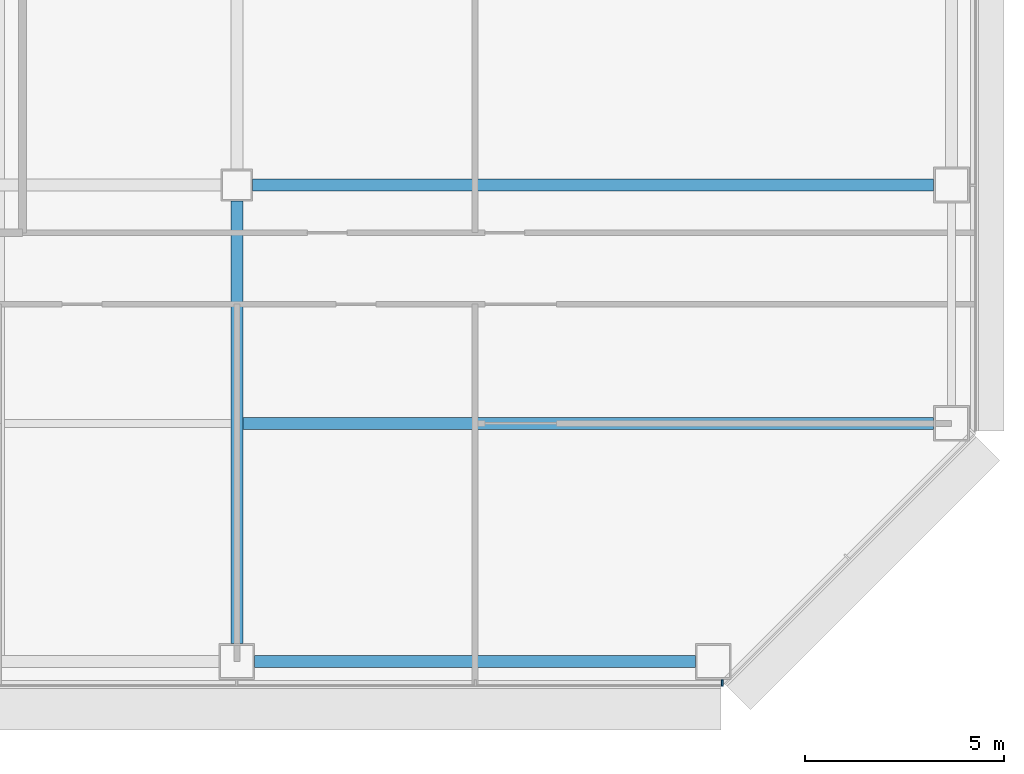
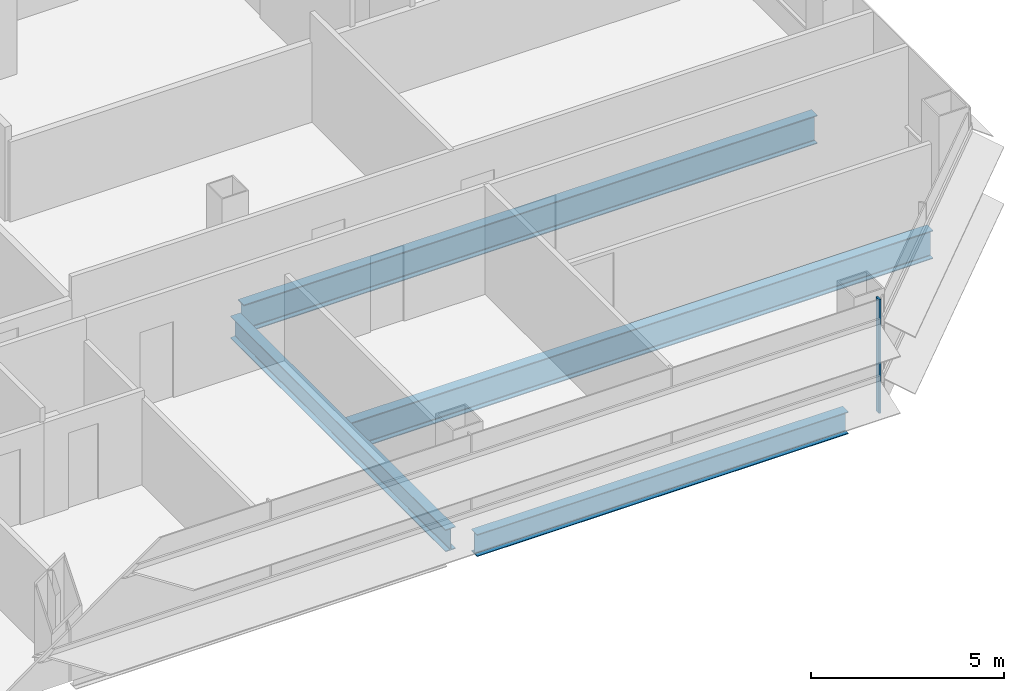
# One storey, part 9 of 26: 4 beams, 1 member, 1 element without a shape of its own.
"""IFC4 building model written with IfcOpenShell, lengths in metres."""

import ifcopenshell
import ifcopenshell.guid

model = None  # the IFC model being written
_history = None  # IfcOwnerHistory: only IFC2X3 demands one
_inside = {}  # id of a spatial element -> (the spatial element, [elements in it])
_under = {}  # id of a project, library or spatial element -> (it, [spatial elements below it])
_declared = {}  # id of a project -> (the project, [libraries it declares])
_typed = {}  # id of a type object -> (the type object, [elements of that type])
_made_of = {}  # id of a material, layer set ... -> (it, [elements and type objects made of it])


def new_model(schema):
    """Start an empty IFC model of exactly this schema.

    Asked for "IFC4X3", IfcOpenShell would pick the latest addendum, in which some entities
    have other attributes; the version numbers below select the first issue.
    IFC2X3 requires an IfcOwnerHistory on every rooted entity: one is made here for all.
    """
    global model, _history
    if schema == "IFC4X3":
        model = ifcopenshell.file(schema_version=(4, 3, 0, 0))
    else:
        model = ifcopenshell.file(schema=schema)
    _inside.clear()
    _under.clear()
    _declared.clear()
    _typed.clear()
    _made_of.clear()
    _history = None
    if model.schema == "IFC2X3":
        org = make("IfcOrganization", Name="unknown")
        user = make(
            "IfcPersonAndOrganization",
            ThePerson=make("IfcPerson", FamilyName="unknown"),
            TheOrganization=org,
        )
        app = make(
            "IfcApplication",
            ApplicationDeveloper=org,
            Version="unknown",
            ApplicationFullName="unknown",
            ApplicationIdentifier="unknown",
        )
        _history = make(
            "IfcOwnerHistory",
            OwningUser=user,
            OwningApplication=app,
            ChangeAction="ADDED",
            CreationDate=0,
        )
    return model


def make(cls, **values):
    """One entity of the class cls with the attributes given. An attribute that is None is left unset."""
    return model.create_entity(
        cls, **{name: value for name, value in values.items() if value is not None}
    )


def rooted(cls, **values):
    """An entity with a GlobalId (a new one), such as an element, a storey or a relation."""
    return make(cls, GlobalId=ifcopenshell.guid.new(), OwnerHistory=_history, **values)


def si_unit(unit_type, name, prefix=None):
    """IfcSIUnit, for example si_unit("LENGTHUNIT", "METRE", prefix="MILLI")."""
    return make("IfcSIUnit", UnitType=unit_type, Prefix=prefix, Name=name)


def assignment(units):
    """IfcUnitAssignment: the units of a project."""
    return None if units is None else make("IfcUnitAssignment", Units=units)


def point(xyz):
    """IfcCartesianPoint."""
    return None if xyz is None else make("IfcCartesianPoint", Coordinates=xyz)


def direction(xyz):
    """IfcDirection."""
    return None if xyz is None else make("IfcDirection", DirectionRatios=xyz)


def frame(location, z_axis=None, x_axis=None):
    """IfcAxis2Placement3D, a coordinate frame: its origin and axes. An axis left out is left unset."""
    return make(
        "IfcAxis2Placement3D",
        Location=point(location),
        Axis=direction(z_axis),
        RefDirection=direction(x_axis),
    )


def frame_2d(location, x_axis=None):
    """IfcAxis2Placement2D, a coordinate frame in the plane: its origin and x axis."""
    return make(
        "IfcAxis2Placement2D", Location=point(location), RefDirection=direction(x_axis)
    )


def origin():
    """The frame at (0, 0, 0) with its axes left unset."""
    return frame((0.0, 0.0, 0.0))


def origin_2d():
    """The frame at (0, 0) in the plane with its x axis left unset."""
    return frame_2d((0.0, 0.0))


def place(relative_to, where):
    """IfcLocalPlacement: puts the frame where relative to a parent placement (None: the world)."""
    return make(
        "IfcLocalPlacement", PlacementRelTo=relative_to, RelativePlacement=where
    )


def context(
    kind, dimensions, precision=None, world=None, true_north=None, identifier=None
):
    """IfcGeometricRepresentationContext, for example the 3D "Model" context."""
    return make(
        "IfcGeometricRepresentationContext",
        ContextIdentifier=identifier,
        ContextType=kind,
        CoordinateSpaceDimension=dimensions,
        Precision=precision,
        WorldCoordinateSystem=world,
        TrueNorth=true_north,
    )


def subcontext(parent, identifier, kind, view, scale=None):
    """IfcGeometricRepresentationSubContext, for example "Body" below "Model"."""
    return make(
        "IfcGeometricRepresentationSubContext",
        ContextIdentifier=identifier,
        ContextType=kind,
        ParentContext=parent,
        TargetScale=scale,
        TargetView=view,
    )


def project(units=None, contexts=None):
    """IfcProject with its units and contexts."""
    return rooted(
        "IfcProject",
        Name="project",
        RepresentationContexts=contexts,
        UnitsInContext=assignment(units),
    )


def spatial(cls, under=None, at=None, **own):
    """A site, building, storey or space (cls), placed at a placement, below another one or the project."""
    s = rooted(cls, ObjectPlacement=at, **own)
    if under is not None:
        _under.setdefault(under.id(), (under, []))[1].append(s)
    return s


def profile(cls, at=None, kind="AREA", **sizes):
    """A parametric profile (cls). Its sizes go by their IFC names, for example OverallWidth=200.0."""
    return make(cls, ProfileType=kind, Position=at, **sizes)


def rectangle(**sizes):
    """IfcRectangleProfileDef."""
    return profile("IfcRectangleProfileDef", **sizes)


def i_section(**sizes):
    """IfcIShapeProfileDef."""
    return profile("IfcIShapeProfileDef", **sizes)


def extrude(swept, where, along, depth):
    """IfcExtrudedAreaSolid: the profile swept, set in the frame where, extruded along a direction by depth."""
    return make(
        "IfcExtrudedAreaSolid",
        SweptArea=swept,
        Position=where,
        ExtrudedDirection=direction(along),
        Depth=depth,
    )


def shape(context_of_items, identifier, shape_type, items):
    """IfcShapeRepresentation: the items that make up one representation, for example the "Body"."""
    return make(
        "IfcShapeRepresentation",
        ContextOfItems=context_of_items,
        RepresentationIdentifier=identifier,
        RepresentationType=shape_type,
        Items=items,
    )


def material(Name=None, Category=None):
    """IfcMaterial."""
    return make("IfcMaterial", Name=Name, Category=Category)


def material_profile(
    of_material, cross_section, Name=None, Category=None, Priority=None
):
    """IfcMaterialProfile: a cross section and its material."""
    return make(
        "IfcMaterialProfile",
        Name=Name,
        Material=of_material,
        Profile=cross_section,
        Priority=Priority,
        Category=Category,
    )


def profile_set(profiles, Name=None, composite=None):
    """IfcMaterialProfileSet."""
    return make(
        "IfcMaterialProfileSet",
        Name=Name,
        MaterialProfiles=profiles,
        CompositeProfile=composite,
    )


def made_of(thing, what):
    """Note that an element or type object is made of a material, layer set ...; save() writes the relation."""
    if what is not None:
        _made_of.setdefault(what.id(), (what, []))[1].append(thing)
    return thing


def type_object(cls, material=None, **own):
    """A type object (cls), such as IfcWallType, which elements share."""
    return made_of(rooted(cls, **own), material)


def element(
    cls,
    number,
    at=None,
    inside=None,
    cuts=None,
    type_object=None,
    material=None,
    context=None,
    identifier="Body",
    shape_type=None,
    held_by="IfcProductDefinitionShape",
    body=None,
    shapes=None,
    **own,
):
    """One element of the class cls, such as IfcWall. Its Tag is "e" and its number.

    at: its placement. inside: the storey or other place that contains it. cuts: it is an
    opening in that element (IfcRelVoidsElement). A single representation is given by context,
    identifier, shape_type and body (its items); several are given by shapes. held_by: the class
    of the entity that holds the representations. save() writes the other relations.
    """
    e = rooted(cls, Tag="e%d" % number, ObjectPlacement=at, **own)
    if body is not None:
        shapes = [shape(context, identifier, shape_type, body)]
    if shapes is not None:
        e.Representation = make(held_by, Representations=shapes)
    if inside is not None:
        _inside.setdefault(inside.id(), (inside, []))[1].append(e)
    if cuts is not None:
        rooted(
            "IfcRelVoidsElement", RelatingBuildingElement=cuts, RelatedOpeningElement=e
        )
    if type_object is not None:
        _typed.setdefault(type_object.id(), (type_object, []))[1].append(e)
    return made_of(e, material)


def aggregate(whole, parts):
    """IfcRelAggregates: a whole, such as a stair, and the parts it consists of."""
    return rooted("IfcRelAggregates", RelatingObject=whole, RelatedObjects=parts)


def save(model, path):
    """Write the relations noted so far, then the file.

    IfcRelAggregates (storeys below a building ...), IfcRelContainedInSpatialStructure (elements
    in a storey), IfcRelDefinesByType, IfcRelAssociatesMaterial and IfcRelDeclares: one each for
    every whole, place, type object, material and project.
    """
    for whole, parts in _under.values():
        aggregate(whole, parts)
    for where, things in _inside.values():
        rooted(
            "IfcRelContainedInSpatialStructure",
            RelatedElements=things,
            RelatingStructure=where,
        )
    for kind, things in _typed.values():
        rooted("IfcRelDefinesByType", RelatedObjects=things, RelatingType=kind)
    for what, things in _made_of.values():
        rooted("IfcRelAssociatesMaterial", RelatedObjects=things, RelatingMaterial=what)
    for by, libraries in _declared.values():
        rooted("IfcRelDeclares", RelatingContext=by, RelatedDefinitions=libraries)
    model.write(path)


model = new_model("IFC4")

# Units and contexts
model_context = context("Model", 3, precision=1e-05, world=origin(), true_north=direction((0.0, 1.0)))
body_context = subcontext(model_context, "Body", "Model", "MODEL_VIEW")
ifc_project = project(units=[si_unit("LENGTHUNIT", "METRE"), si_unit("AREAUNIT", "SQUARE_METRE"), si_unit("VOLUMEUNIT", "CUBIC_METRE"), si_unit("PLANEANGLEUNIT", "RADIAN"), si_unit("MASSUNIT", "GRAM", prefix="KILO")], contexts=[model_context])

# Site, building, storey
site_placement = place(None, origin())
site = spatial("IfcSite", under=ifc_project, at=site_placement, CompositionType="ELEMENT")
building_placement = place(site_placement, origin())
building = spatial("IfcBuilding", under=site, at=building_placement, Name="Sorahane Residences", CompositionType="ELEMENT")
storey_placement = place(building_placement, frame((0.0, 0.0, 71.39990234375)))
storey = spatial("IfcBuildingStorey", under=building, at=storey_placement, Name="L14", CompositionType="ELEMENT", Elevation=71.39990234375)

# Curtain wall, member
ifc_material_1 = material(Name="Dark low-e glass and black anodised aluminium", Category="aluminium")
curtain_wall_type = type_object("IfcCurtainWallType", Name="Curtain wall CW-1 Typical unitised wall", PredefinedType="NOTDEFINED", material=ifc_material_1)
curtain_wall_placement = place(storey_placement, origin())
curtain_wall = element("IfcCurtainWall", 1, at=curtain_wall_placement, inside=storey, type_object=curtain_wall_type, Name="CW-1 curtain wall L14 S1", PredefinedType="NOTDEFINED")
ifc_material_2 = material(Name="Black anodised aluminium", Category="aluminium")
ifc_material_profile_1 = material_profile(ifc_material_2, rectangle(XDim=0.159912109375, YDim=0.050048828125, at=origin_2d()), Name="Curtain wall mullion CW-1 black anodised aluminium 50x160")
ifc_profile_set_1 = profile_set([ifc_material_profile_1], Name="Black anodised aluminium")
member_type = type_object("IfcMemberType", Name="Curtain wall mullion CW-1 black anodised aluminium 50x160", PredefinedType="MULLION", material=ifc_profile_set_1)
member_placement = place(storey_placement, frame((60.2236328125, -0.5400390625, -0.179931640625), z_axis=(0.0, 0.0, 1.0), x_axis=(0.0, -1.0, 0.0)))
member = element("IfcMember", 2, at=member_placement, type_object=member_type, Name="CW-1 mullion L14 S1.10", PredefinedType="MULLION", context=body_context, shape_type="SweptSolid", body=[
    extrude(rectangle(XDim=0.159912109375, YDim=0.050048828125, at=origin_2d()), origin(), (0.0, 0.0, 1.0), 3.60009765625),
])
aggregate(curtain_wall, [member])

# Beams
ifc_material_3 = material(Name="Steel Q355B", Category="steel")
ifc_material_profile_2 = material_profile(ifc_material_3, i_section(OverallWidth=0.300048828125, OverallDepth=0.699951171875, WebThickness=0.012939453125, FlangeThickness=0.02392578125, FilletRadius=0.028076171875, at=origin_2d()), Name="HN 700x300x13x24")
ifc_profile_set_2 = profile_set([ifc_material_profile_2], Name="Steel Q355B")
beam_type_1 = type_object("IfcBeamType", Name="Steel floor beam HN 700x300x13x24 Q355B", PredefinedType="BEAM", material=ifc_profile_set_2)
beam_1_placement = place(storey_placement, frame((48.449951171875, 0.0, -0.52978515625), z_axis=(1.0, 0.0, 0.0), x_axis=(0.0, 1.0, 0.0)))
element("IfcBeam", 3, at=beam_1_placement, inside=storey, type_object=beam_type_1, Name="Beam L14 004", PredefinedType="BEAM", context=body_context, shape_type="SweptSolid", body=[
    extrude(i_section(OverallWidth=0.300048828125, OverallDepth=0.699951171875, WebThickness=0.012939453125, FlangeThickness=0.02392578125, FilletRadius=0.028076171875, at=origin_2d()), origin(), (0.0, 0.0, 1.0), 11.10009765625),
])
beam_2_placement = place(storey_placement, frame((48.0, 0.449951171875, -0.52978515625), z_axis=(0.0, 1.0, 0.0), x_axis=(-1.0, 0.0, 0.0)))
element("IfcBeam", 4, at=beam_2_placement, inside=storey, type_object=beam_type_1, Name="Beam L14 051", PredefinedType="BEAM", context=body_context, shape_type="SweptSolid", body=[
    extrude(i_section(OverallWidth=0.300048828125, OverallDepth=0.699951171875, WebThickness=0.012939453125, FlangeThickness=0.02392578125, FilletRadius=0.028076171875, at=origin_2d()), origin(), (0.0, 0.0, 1.0), 11.150146484375),
])
ifc_material_4 = material(Name="Steel Q355B", Category="steel")
ifc_material_profile_3 = material_profile(ifc_material_4, i_section(OverallWidth=0.300048828125, OverallDepth=0.89990234375, WebThickness=0.01611328125, FlangeThickness=0.028076171875, FilletRadius=0.028076171875, at=origin_2d()), Name="HN 900x300x16x28")
ifc_profile_set_3 = profile_set([ifc_material_profile_3], Name="Steel Q355B")
beam_type_2 = type_object("IfcBeamType", Name="Steel floor beam HN 900x300x16x28 Q355B", PredefinedType="BEAM", material=ifc_profile_set_3)
beam_3_placement = place(storey_placement, frame((48.39990234375, 12.0, -0.6298828125), z_axis=(1.0, 0.0, 0.0), x_axis=(0.0, 1.0, 0.0)))
element("IfcBeam", 5, at=beam_3_placement, inside=storey, type_object=beam_type_2, Name="Beam L14 009", PredefinedType="BEAM", context=body_context, shape_type="SweptSolid", body=[
    extrude(i_section(OverallWidth=0.300048828125, OverallDepth=0.89990234375, WebThickness=0.01611328125, FlangeThickness=0.028076171875, FilletRadius=0.028076171875, at=origin_2d()), origin(), (0.0, 0.0, 1.0), 17.150146484375),
])
beam_4_placement = place(storey_placement, frame((48.14990234375, 6.0, -0.6298828125), z_axis=(1.0, 0.0, 0.0), x_axis=(0.0, 1.0, 0.0)))
element("IfcBeam", 6, at=beam_4_placement, inside=storey, type_object=beam_type_2, Name="Beam L14 069", PredefinedType="BEAM", context=body_context, shape_type="SweptSolid", body=[
    extrude(i_section(OverallWidth=0.300048828125, OverallDepth=0.89990234375, WebThickness=0.01611328125, FlangeThickness=0.028076171875, FilletRadius=0.028076171875, at=origin_2d()), origin(), (0.0, 0.0, 1.0), 17.400146484375),
])

save(model, "model.ifc")
